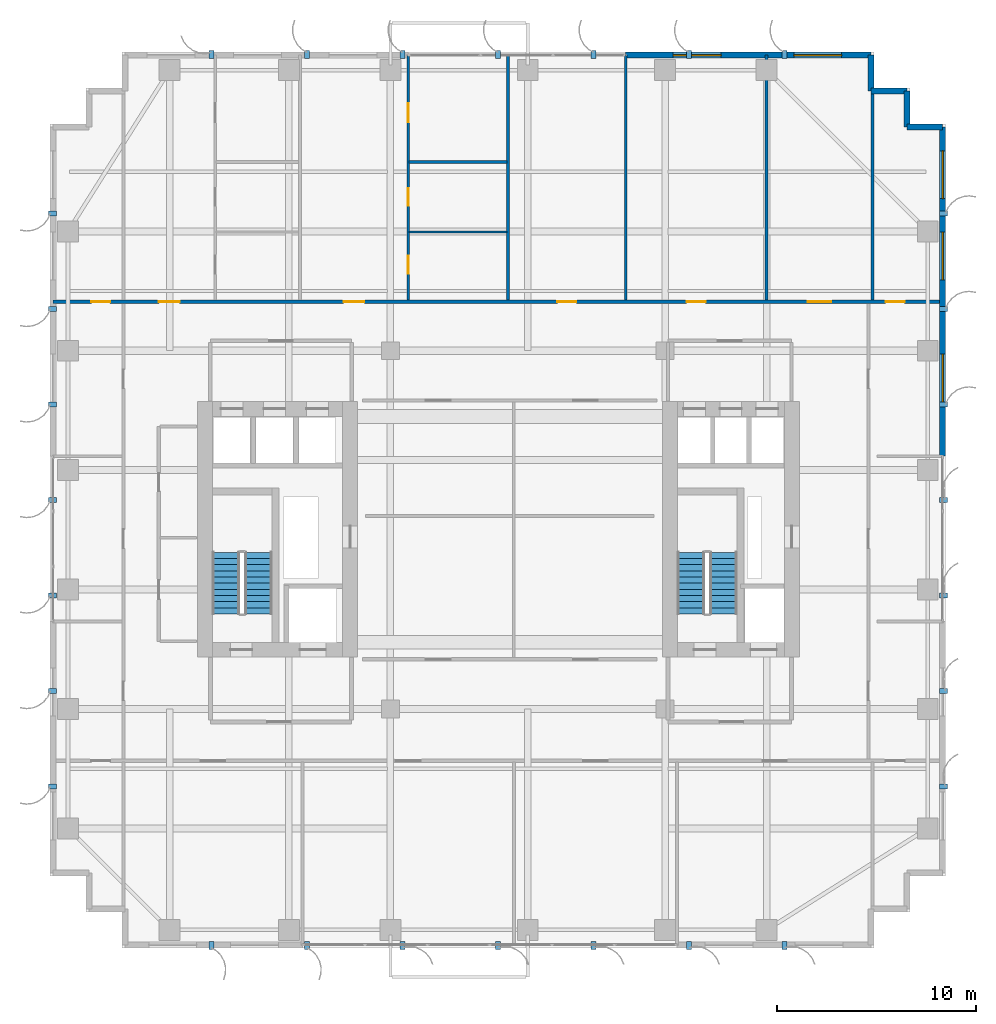
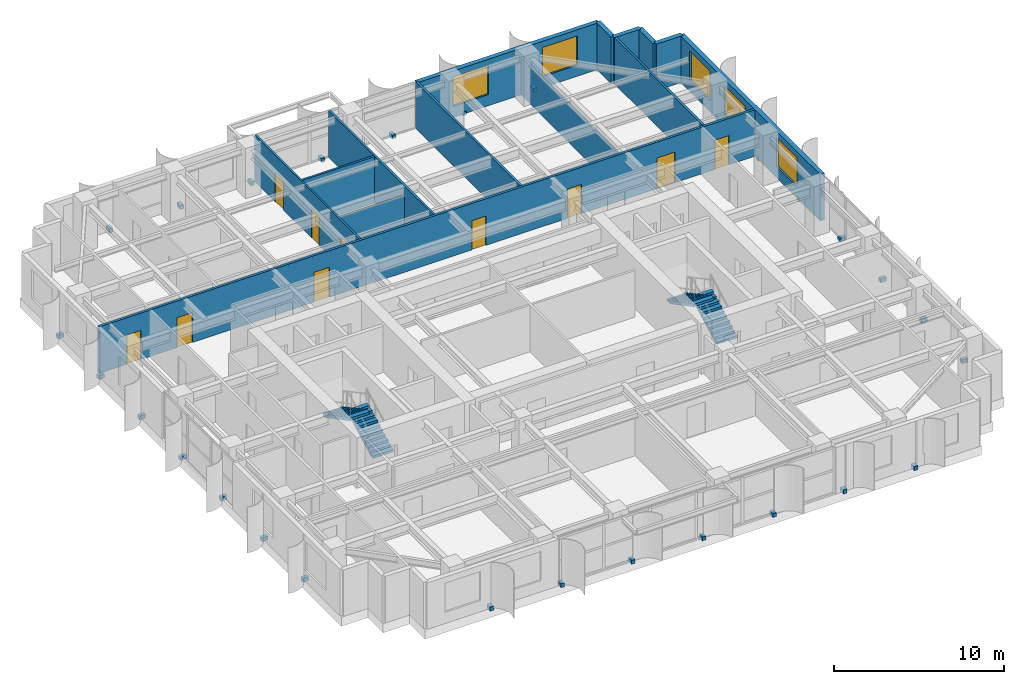
# One storey, part 20 of 23: 28 discrete accessories, 14 walls, 10 doors, 5 windows, 4 stair flights, 15 openings, 2 elements without a shape of their own.
"""IFC4 building model written with IfcOpenShell, lengths in metres."""

from ifc_helpers import new_model, si_unit, direction, frame, frame_2d, origin, origin_2d, place, context, subcontext, project, spatial, polyline, rectangle, outline, extrude, source, transform, mapped, material, layer, layer_set, type_object, element, fill, aggregate, save


model = new_model("IFC4")

# Units and contexts
model_context = context("Model", 3, precision=1e-05, world=origin(), true_north=direction((0.0, 1.0)))
body_context = subcontext(model_context, "Body", "Model", "MODEL_VIEW")
ifc_project = project(units=[si_unit("LENGTHUNIT", "METRE"), si_unit("AREAUNIT", "SQUARE_METRE"), si_unit("VOLUMEUNIT", "CUBIC_METRE"), si_unit("PLANEANGLEUNIT", "RADIAN"), si_unit("MASSUNIT", "GRAM", prefix="KILO")], contexts=[model_context])

# Site, building, storey
site_placement = place(None, origin())
site = spatial("IfcSite", under=ifc_project, at=site_placement, CompositionType="ELEMENT")
building_placement = place(site_placement, origin())
building = spatial("IfcBuilding", under=site, at=building_placement, Name="Khoralis Quay Care Tower", CompositionType="ELEMENT")
storey_placement = place(building_placement, frame((0.0, 0.0, 83.699951171875)))
storey = spatial("IfcBuildingStorey", under=building, at=storey_placement, Name="L21", CompositionType="ELEMENT", Elevation=83.699951171875)

# Wall, openings, doors
ifc_material_1 = material(Name="Gypsum plasterboard on acoustic metal stud")
ifc_layer_1 = layer(ifc_material_1, 0.1650390625)
ifc_layer_set_1 = layer_set([ifc_layer_1], Name="Gypsum plasterboard on acoustic metal stud")
wall_type_1 = type_object("IfcWallType", Name="WL-CORR-165", PredefinedType="PARTITIONING", material=ifc_layer_set_1)
wall_1_placement = place(storey_placement, frame((0.14501953125, 32.4599609375, 0.0), z_axis=(0.0, 0.0, 1.0), x_axis=(1.0, 0.0, 0.0)))
wall_1 = element("IfcWall", 1, at=wall_1_placement, inside=storey, type_object=wall_type_1, Name="L21 North Main Corridor Wall", PredefinedType="PARTITIONING", context=body_context, shape_type="SweptSolid", body=[
    extrude(rectangle(XDim=44.7099609375, YDim=0.1650390625, at=frame_2d((22.35498046875, 0.0))), origin(), (0.0, 0.0, 1.0), 3.340087890625),
])
opening_1_placement = place(wall_1_placement, frame((5.31591796875, 0.0, 0.0)))
opening_1 = element("IfcOpeningElement", 2, at=opening_1_placement, cuts=wall_1, Name="Opening UD1", PredefinedType="OPENING", context=body_context, shape_type="SweptSolid", body=[
    extrude(rectangle(XDim=1.050048828125, YDim=2.14990234375, at=frame_2d((0.52490234375, 1.074951171875))), frame((0.0, 0.092529296875, 0.0), z_axis=(0.0, -1.0, 0.0), x_axis=(1.0, 0.0, 0.0)), (0.0, 0.0, 1.0), 0.18505859375),
])
opening_2_placement = place(wall_1_placement, frame((14.599609375, 0.0, 0.0)))
opening_2 = element("IfcOpeningElement", 3, at=opening_2_placement, cuts=wall_1, Name="Opening UD1", PredefinedType="OPENING", context=body_context, shape_type="SweptSolid", body=[
    extrude(rectangle(XDim=1.050048828125, YDim=2.14990234375, at=frame_2d((0.52490234375, 1.074951171875))), frame((0.0, 0.092529296875, 0.0), z_axis=(0.0, -1.0, 0.0), x_axis=(1.0, 0.0, 0.0)), (0.0, 0.0, 1.0), 0.18505859375),
])
opening_3_placement = place(wall_1_placement, frame((25.344970703125, 0.0, 0.0)))
opening_3 = element("IfcOpeningElement", 4, at=opening_3_placement, cuts=wall_1, Name="Opening ID1", PredefinedType="OPENING", context=body_context, shape_type="SweptSolid", body=[
    extrude(rectangle(XDim=0.949951171875, YDim=2.10009765625, at=frame_2d((0.47509765625, 1.050048828125))), frame((0.0, 0.092529296875, 0.0), z_axis=(0.0, -1.0, 0.0), x_axis=(1.0, 0.0, 0.0)), (0.0, 0.0, 1.0), 0.18505859375),
])
opening_4_placement = place(wall_1_placement, frame((31.840087890625, 0.0, 0.0)))
opening_4 = element("IfcOpeningElement", 5, at=opening_4_placement, cuts=wall_1, Name="Opening ID1", PredefinedType="OPENING", context=body_context, shape_type="SweptSolid", body=[
    extrude(rectangle(XDim=0.949951171875, YDim=2.10009765625, at=frame_2d((0.47509765625, 1.050048828125))), frame((0.0, 0.092529296875, 0.0), z_axis=(0.0, -1.0, 0.0), x_axis=(1.0, 0.0, 0.0)), (0.0, 0.0, 1.0), 0.18505859375),
])
opening_5_placement = place(wall_1_placement, frame((37.9150390625, 0.0, 0.0)))
opening_5 = element("IfcOpeningElement", 6, at=opening_5_placement, cuts=wall_1, Name="Opening FD1", PredefinedType="OPENING", context=body_context, shape_type="SweptSolid", body=[
    extrude(rectangle(XDim=1.199951171875, YDim=2.199951171875, at=frame_2d((0.60009765625, 1.10009765625))), frame((0.0, 0.092529296875, 0.0), z_axis=(0.0, -1.0, 0.0), x_axis=(1.0, 0.0, 0.0)), (0.0, 0.0, 1.0), 0.18505859375),
])
opening_6_placement = place(wall_1_placement, frame((1.919921875, 0.0, 0.0)))
opening_6 = element("IfcOpeningElement", 7, at=opening_6_placement, cuts=wall_1, Name="Opening ID1", PredefinedType="OPENING", context=body_context, shape_type="SweptSolid", body=[
    extrude(rectangle(XDim=0.949951171875, YDim=2.10009765625, at=frame_2d((0.47509765625, 1.050048828125))), frame((0.0, 0.092529296875, 0.0), z_axis=(0.0, -1.0, 0.0), x_axis=(1.0, 0.0, 0.0)), (0.0, 0.0, 1.0), 0.18505859375),
])
opening_7_placement = place(wall_1_placement, frame((41.840087890625, 0.0, 0.0)))
opening_7 = element("IfcOpeningElement", 8, at=opening_7_placement, cuts=wall_1, Name="Opening ID1", PredefinedType="OPENING", context=body_context, shape_type="SweptSolid", body=[
    extrude(rectangle(XDim=0.949951171875, YDim=2.10009765625, at=frame_2d((0.47509765625, 1.050048828125))), frame((0.0, 0.092529296875, 0.0), z_axis=(0.0, -1.0, 0.0), x_axis=(1.0, 0.0, 0.0)), (0.0, 0.0, 1.0), 0.18505859375),
])
ifc_material_2 = material(Name="Fire-rated painted steel", Category="steel")
door_type_1 = type_object("IfcDoorType", Name="DR-FFL-1200X2200", OperationType="NOTDEFINED", PredefinedType="DOOR", material=ifc_material_2)
shared_shape_1 = source(origin(), body_context, "Body", "SweptSolid", [
    extrude(rectangle(XDim=1.199951171875, YDim=2.199951171875, at=frame_2d((0.60009765625, 1.10009765625))), frame((0.0, 0.02490234375, 0.0), z_axis=(0.0, -1.0, 0.0), x_axis=(1.0, 0.0, 0.0)), (0.0, 0.0, 1.0), 0.050048828125),
])
door_1_placement = place(opening_5_placement, origin())
door_1 = element("IfcDoor", 9, at=door_1_placement, inside=storey, type_object=door_type_1, Name="L21 Senior Wellness Pharmacy Shop Door", OperationType="DOUBLE_DOOR_SINGLE_SWING", OverallHeight=2.199951171875, OverallWidth=1.199951171875, PredefinedType="DOOR", context=body_context, shape_type="MappedRepresentation", body=[
    mapped(shared_shape_1, transform((0.0, 0.0, 0.0), scale=1.0)),
])
fill(opening_5, door_1)
ifc_material_3 = material(Name="Acoustic hardwood timber", Category="wood")
door_type_2 = type_object("IfcDoorType", Name="DR-ROOM-950X2100", OperationType="NOTDEFINED", PredefinedType="DOOR", material=ifc_material_3)
shared_shape_2 = source(origin(), body_context, "Body", "SweptSolid", [
    extrude(rectangle(XDim=0.949951171875, YDim=2.10009765625, at=frame_2d((0.47509765625, 1.050048828125))), frame((0.0, 0.02490234375, 0.0), z_axis=(0.0, -1.0, 0.0), x_axis=(1.0, 0.0, 0.0)), (0.0, 0.0, 1.0), 0.050048828125),
])
door_2_placement = place(opening_3_placement, origin())
door_2 = element("IfcDoor", 10, at=door_2_placement, inside=storey, type_object=door_type_2, Name="L21 Care Coordination Office Door", OperationType="SINGLE_SWING_RIGHT", OverallHeight=2.10009765625, OverallWidth=0.949951171875, PredefinedType="DOOR", context=body_context, shape_type="MappedRepresentation", body=[
    mapped(shared_shape_2, transform((0.0, 0.0, 0.0), scale=1.0)),
])
fill(opening_3, door_2)
door_3_placement = place(opening_4_placement, origin())
door_3 = element("IfcDoor", 11, at=door_3_placement, inside=storey, type_object=door_type_2, Name="L21 Family Case Conference Room Door", OperationType="SINGLE_SWING_LEFT", OverallHeight=2.10009765625, OverallWidth=0.949951171875, PredefinedType="DOOR", context=body_context, shape_type="MappedRepresentation", body=[
    mapped(shared_shape_2, transform((0.0, 0.0, 0.0), scale=1.0)),
])
fill(opening_4, door_3)
door_4_placement = place(opening_6_placement, origin())
door_4 = element("IfcDoor", 12, at=door_4_placement, inside=storey, type_object=door_type_2, Name="L21 NW Corner Door", OperationType="SINGLE_SWING_RIGHT", OverallHeight=2.10009765625, OverallWidth=0.949951171875, PredefinedType="DOOR", context=body_context, shape_type="MappedRepresentation", body=[
    mapped(shared_shape_2, transform((0.0, 0.0, 0.0), scale=1.0)),
])
fill(opening_6, door_4)
door_5_placement = place(opening_7_placement, origin())
door_5 = element("IfcDoor", 13, at=door_5_placement, inside=storey, type_object=door_type_2, Name="L21 NE Corner Door", OperationType="SINGLE_SWING_LEFT", OverallHeight=2.10009765625, OverallWidth=0.949951171875, PredefinedType="DOOR", context=body_context, shape_type="MappedRepresentation", body=[
    mapped(shared_shape_2, transform((0.0, 0.0, 0.0), scale=1.0)),
])
fill(opening_7, door_5)
door_type_3 = type_object("IfcDoorType", Name="DR-SUITE-1050X2150", OperationType="NOTDEFINED", PredefinedType="DOOR", material=ifc_material_3)
shared_shape_3 = source(origin(), body_context, "Body", "SweptSolid", [
    extrude(rectangle(XDim=1.050048828125, YDim=2.14990234375, at=frame_2d((0.52490234375, 1.074951171875))), frame((0.0, 0.02490234375, 0.0), z_axis=(0.0, -1.0, 0.0), x_axis=(1.0, 0.0, 0.0)), (0.0, 0.0, 1.0), 0.050048828125),
])
door_6_placement = place(opening_1_placement, origin())
door_6 = element("IfcDoor", 14, at=door_6_placement, inside=storey, type_object=door_type_3, Name="L21 Apartment NB0 Entrance Door", OperationType="SINGLE_SWING_LEFT", OverallHeight=2.14990234375, OverallWidth=1.050048828125, PredefinedType="DOOR", context=body_context, shape_type="MappedRepresentation", body=[
    mapped(shared_shape_3, transform((0.0, 0.0, 0.0), scale=1.0)),
])
fill(opening_1, door_6)
door_7_placement = place(opening_2_placement, origin())
door_7 = element("IfcDoor", 15, at=door_7_placement, inside=storey, type_object=door_type_3, Name="L21 Apartment NB1 Entrance Door", OperationType="SINGLE_SWING_RIGHT", OverallHeight=2.14990234375, OverallWidth=1.050048828125, PredefinedType="DOOR", context=body_context, shape_type="MappedRepresentation", body=[
    mapped(shared_shape_3, transform((0.0, 0.0, 0.0), scale=1.0)),
])
fill(opening_2, door_7)

# Wall, openings, windows
ifc_material_4 = material(Name="Precast concrete C45/55", Category="concrete")
ifc_layer_2 = layer(ifc_material_4, 0.300048828125)
ifc_layer_set_2 = layer_set([ifc_layer_2], Name="Precast concrete C45/55")
wall_type_2 = type_object("IfcWallType", Name="WL-EXT-REF-300", PredefinedType="SOLIDWALL", material=ifc_layer_set_2)
wall_2_placement = place(storey_placement, frame((44.85009765625, 24.699951171875, 0.0), z_axis=(0.0, 0.0, 1.0), x_axis=(0.0, 1.0, 0.0)))
wall_2 = element("IfcWall", 16, at=wall_2_placement, inside=storey, type_object=wall_type_2, Name="L21 External Facade Wall WL-EXT-L21-P1-E5B", PredefinedType="SOLIDWALL", context=body_context, shape_type="SweptSolid", body=[
    extrude(rectangle(XDim=16.550048828125, YDim=0.300048828125, at=frame_2d((8.27490234375, 0.0))), origin(), (0.0, 0.0, 1.0), 3.340087890625),
])
opening_8_placement = place(wall_2_placement, frame((2.72998046875, 0.0, 0.800048828125)))
opening_8 = element("IfcOpeningElement", 17, at=opening_8_placement, cuts=wall_2, Name="Opening W1", PredefinedType="OPENING", context=body_context, shape_type="SweptSolid", body=[
    extrude(rectangle(XDim=2.39990234375, YDim=2.10009765625, at=frame_2d((1.199951171875, 1.050048828125))), frame((0.0, 0.16015625, 0.0), z_axis=(0.0, -1.0, 0.0), x_axis=(1.0, 0.0, 0.0)), (0.0, 0.0, 1.0), 0.320068359375),
])
opening_9_placement = place(wall_2_placement, frame((8.862548828125, 0.0, 0.800048828125)))
opening_9 = element("IfcOpeningElement", 18, at=opening_9_placement, cuts=wall_2, Name="Opening W1", PredefinedType="OPENING", context=body_context, shape_type="SweptSolid", body=[
    extrude(rectangle(XDim=2.39990234375, YDim=2.10009765625, at=frame_2d((1.199951171875, 1.050048828125))), frame((0.0, 0.16015625, 0.0), z_axis=(0.0, -1.0, 0.0), x_axis=(1.0, 0.0, 0.0)), (0.0, 0.0, 1.0), 0.320068359375),
])
opening_10_placement = place(wall_2_placement, frame((12.947509765625, 0.0, 0.800048828125)))
opening_10 = element("IfcOpeningElement", 19, at=opening_10_placement, cuts=wall_2, Name="Opening W1", PredefinedType="OPENING", context=body_context, shape_type="SweptSolid", body=[
    extrude(rectangle(XDim=2.39990234375, YDim=2.10009765625, at=frame_2d((1.199951171875, 1.050048828125))), frame((0.0, 0.16015625, 0.0), z_axis=(0.0, -1.0, 0.0), x_axis=(1.0, 0.0, 0.0)), (0.0, 0.0, 1.0), 0.320068359375),
])
ifc_material_5 = material(Name="Low-E solar-control double glazing", Category="glass")
window_type = type_object("IfcWindowType", Name="WN-POD-2400X2100", PartitioningType="SINGLE_PANEL", PredefinedType="WINDOW", material=ifc_material_5)
shared_shape_4 = source(origin(), body_context, "Body", "SweptSolid", [
    extrude(rectangle(XDim=2.39990234375, YDim=2.10009765625, at=frame_2d((1.199951171875, 1.050048828125))), frame((0.0, 0.030029296875, 0.0), z_axis=(0.0, -1.0, 0.0), x_axis=(1.0, 0.0, 0.0)), (0.0, 0.0, 1.0), 0.06005859375),
])
window_1_placement = place(opening_8_placement, origin())
window_1 = element("IfcWindow", 20, at=window_1_placement, inside=storey, type_object=window_type, Name="WN-L21-P1-E5B Facade Window 01", OverallHeight=2.10009765625, OverallWidth=2.39990234375, PartitioningType="SINGLE_PANEL", PredefinedType="WINDOW", context=body_context, shape_type="MappedRepresentation", body=[
    mapped(shared_shape_4, transform((0.0, 0.0, 0.0), scale=1.0)),
])
fill(opening_8, window_1)
window_2_placement = place(opening_9_placement, origin())
window_2 = element("IfcWindow", 21, at=window_2_placement, inside=storey, type_object=window_type, Name="WN-L21-P1-E5B Facade Window 02", OverallHeight=2.10009765625, OverallWidth=2.39990234375, PartitioningType="SINGLE_PANEL", PredefinedType="WINDOW", context=body_context, shape_type="MappedRepresentation", body=[
    mapped(shared_shape_4, transform((0.0, 0.0, 0.0), scale=1.0)),
])
fill(opening_9, window_2)
window_3_placement = place(opening_10_placement, origin())
window_3 = element("IfcWindow", 22, at=window_3_placement, inside=storey, type_object=window_type, Name="WN-L21-P1-E5B Facade Window 03", OverallHeight=2.10009765625, OverallWidth=2.39990234375, PartitioningType="SINGLE_PANEL", PredefinedType="WINDOW", context=body_context, shape_type="MappedRepresentation", body=[
    mapped(shared_shape_4, transform((0.0, 0.0, 0.0), scale=1.0)),
])
fill(opening_10, window_3)

# Walls
for number, where, z_axis, x_axis, name in (
    (23, (44.85009765625, 41.25, 0.0), (0.0, 0.0, 1.0), (-1.0, 0.0, 0.0), "L21 External Facade Wall WL-EXT-L21-P1-C6"),
    (24, (43.050048828125, 41.25, 0.0), (0.0, 0.0, 1.0), (0.0, 1.0, 0.0), "L21 External Facade Wall WL-EXT-L21-P1-C7"),
    (25, (43.050048828125, 43.050048828125, 0.0), (0.0, 0.0, 1.0), (-1.0, 0.0, 0.0), "L21 External Facade Wall WL-EXT-L21-P1-C8"),
    (26, (41.25, 43.050048828125, 0.0), (0.0, 0.0, 1.0), (0.0, 1.0, 0.0), "L21 External Facade Wall WL-EXT-L21-P1-C9"),
):
    element("IfcWall", number, at=place(storey_placement, frame(where, z_axis=z_axis, x_axis=x_axis)), inside=storey, type_object=wall_type_2, Name=name, PredefinedType="SOLIDWALL", context=body_context, shape_type="SweptSolid", body=[
        extrude(rectangle(XDim=1.800048828125, YDim=0.300048828125, at=frame_2d((0.89990234375, 0.0))), origin(), (0.0, 0.0, 1.0), 3.340087890625),
    ])

# Wall, openings, windows
wall_3_placement = place(storey_placement, frame((41.25, 44.85009765625, 0.0), z_axis=(0.0, 0.0, 1.0), x_axis=(-1.0, 0.0, 0.0)))
wall_3 = element("IfcWall", 27, at=wall_3_placement, inside=storey, type_object=wall_type_2, Name="L21 External Facade Wall WL-EXT-L21-P1-E10A", PredefinedType="SOLIDWALL", context=body_context, shape_type="SweptSolid", body=[
    extrude(rectangle(XDim=12.330078125, YDim=0.300048828125, at=frame_2d((6.1650390625, 0.0))), origin(), (0.0, 0.0, 1.0), 3.340087890625),
])
opening_11_placement = place(wall_3_placement, frame((1.47509765625, 0.0, 0.800048828125)))
opening_11 = element("IfcOpeningElement", 28, at=opening_11_placement, cuts=wall_3, Name="Opening W1", PredefinedType="OPENING", context=body_context, shape_type="SweptSolid", body=[
    extrude(rectangle(XDim=2.39990234375, YDim=2.10009765625, at=frame_2d((1.199951171875, 1.050048828125))), frame((0.0, 0.16015625, 0.0), z_axis=(0.0, -1.0, 0.0), x_axis=(1.0, 0.0, 0.0)), (0.0, 0.0, 1.0), 0.320068359375),
])
opening_12_placement = place(wall_3_placement, frame((7.5400390625, 0.0, 0.800048828125)))
opening_12 = element("IfcOpeningElement", 29, at=opening_12_placement, cuts=wall_3, Name="Opening W1", PredefinedType="OPENING", context=body_context, shape_type="SweptSolid", body=[
    extrude(rectangle(XDim=2.39990234375, YDim=2.10009765625, at=frame_2d((1.199951171875, 1.050048828125))), frame((0.0, 0.16015625, 0.0), z_axis=(0.0, -1.0, 0.0), x_axis=(1.0, 0.0, 0.0)), (0.0, 0.0, 1.0), 0.320068359375),
])
window_4_placement = place(opening_11_placement, origin())
window_4 = element("IfcWindow", 30, at=window_4_placement, inside=storey, type_object=window_type, Name="WN-L21-P1-E10A Facade Window 01", OverallHeight=2.10009765625, OverallWidth=2.39990234375, PartitioningType="SINGLE_PANEL", PredefinedType="WINDOW", context=body_context, shape_type="MappedRepresentation", body=[
    mapped(shared_shape_4, transform((0.0, 0.0, 0.0), scale=1.0)),
])
fill(opening_11, window_4)
window_5_placement = place(opening_12_placement, origin())
window_5 = element("IfcWindow", 31, at=window_5_placement, inside=storey, type_object=window_type, Name="WN-L21-P1-E10A Facade Window 02", OverallHeight=2.10009765625, OverallWidth=2.39990234375, PartitioningType="SINGLE_PANEL", PredefinedType="WINDOW", context=body_context, shape_type="MappedRepresentation", body=[
    mapped(shared_shape_4, transform((0.0, 0.0, 0.0), scale=1.0)),
])
fill(opening_12, window_5)

# Wall, openings, doors
ifc_layer_3 = layer(ifc_material_1, 0.114990234375)
ifc_layer_set_3 = layer_set([ifc_layer_3], Name="Gypsum plasterboard on acoustic metal stud")
wall_type_3 = type_object("IfcWallType", Name="WL-PART-115", PredefinedType="PARTITIONING", material=ifc_layer_set_3)
wall_4_placement = place(storey_placement, frame((17.989013671875, 32.53759765625, 0.0), z_axis=(0.0, 0.0, 1.0), x_axis=(0.0, 1.0, 0.0)))
wall_4 = element("IfcWall", 32, at=wall_4_placement, inside=storey, type_object=wall_type_3, Name="L21 Unit 1 Internal Wall", PredefinedType="PARTITIONING", context=body_context, shape_type="SweptSolid", body=[
    extrude(rectangle(XDim=12.3173828125, YDim=0.114990234375, at=frame_2d((6.15869140625, 0.0))), origin(), (0.0, 0.0, 1.0), 3.340087890625),
])
opening_13_placement = place(wall_4_placement, frame((8.95361328125, 0.0, 0.0)))
opening_13 = element("IfcOpeningElement", 33, at=opening_13_placement, cuts=wall_4, Name="Opening ID1", PredefinedType="OPENING", context=body_context, shape_type="SweptSolid", body=[
    extrude(rectangle(XDim=0.949951171875, YDim=2.10009765625, at=frame_2d((0.47509765625, 1.050048828125))), frame((0.0, 0.0673828125, 0.0), z_axis=(0.0, -1.0, 0.0), x_axis=(1.0, 0.0, 0.0)), (0.0, 0.0, 1.0), 0.135009765625),
])
opening_14_placement = place(wall_4_placement, frame((4.739013671875, 0.0, 0.0)))
opening_14 = element("IfcOpeningElement", 34, at=opening_14_placement, cuts=wall_4, Name="Opening WD1", PredefinedType="OPENING", context=body_context, shape_type="SweptSolid", body=[
    extrude(rectangle(XDim=0.89990234375, YDim=2.10009765625, at=frame_2d((0.449951171875, 1.050048828125))), frame((0.0, 0.0673828125, 0.0), z_axis=(0.0, -1.0, 0.0), x_axis=(1.0, 0.0, 0.0)), (0.0, 0.0, 1.0), 0.135009765625),
])
opening_15_placement = place(wall_4_placement, frame((1.343017578125, 0.0, 0.0)))
opening_15 = element("IfcOpeningElement", 35, at=opening_15_placement, cuts=wall_4, Name="Opening WD1", PredefinedType="OPENING", context=body_context, shape_type="SweptSolid", body=[
    extrude(rectangle(XDim=0.89990234375, YDim=2.10009765625, at=frame_2d((0.449951171875, 1.050048828125))), frame((0.0, 0.0673828125, 0.0), z_axis=(0.0, -1.0, 0.0), x_axis=(1.0, 0.0, 0.0)), (0.0, 0.0, 1.0), 0.135009765625),
])
door_type_4 = type_object("IfcDoorType", Name="DR-BATH-900X2100", OperationType="NOTDEFINED", PredefinedType="DOOR", material=ifc_material_3)
shared_shape_5 = source(origin(), body_context, "Body", "SweptSolid", [
    extrude(rectangle(XDim=0.89990234375, YDim=2.10009765625, at=frame_2d((0.449951171875, 1.050048828125))), frame((0.0, 0.02490234375, 0.0), z_axis=(0.0, -1.0, 0.0), x_axis=(1.0, 0.0, 0.0)), (0.0, 0.0, 1.0), 0.050048828125),
])
door_8_placement = place(opening_14_placement, frame((0.89990234375, 0.0, 0.0), z_axis=(0.0, 0.0, 1.0), x_axis=(-1.0, 0.0, 0.0)))
door_8 = element("IfcDoor", 36, at=door_8_placement, inside=storey, type_object=door_type_4, Name="L21 Apartment NB1 KIT Door", OperationType="SINGLE_SWING_RIGHT", OverallHeight=2.10009765625, OverallWidth=0.89990234375, PredefinedType="DOOR", context=body_context, shape_type="MappedRepresentation", body=[
    mapped(shared_shape_5, transform((0.0, 0.0, 0.0), scale=1.0)),
])
fill(opening_14, door_8)
door_9_placement = place(opening_15_placement, frame((0.89990234375, 0.0, 0.0), z_axis=(0.0, 0.0, 1.0), x_axis=(-1.0, 0.0, 0.0)))
door_9 = element("IfcDoor", 37, at=door_9_placement, inside=storey, type_object=door_type_4, Name="L21 Apartment NB1 BTH Door", OperationType="SINGLE_SWING_LEFT", OverallHeight=2.10009765625, OverallWidth=0.89990234375, PredefinedType="DOOR", context=body_context, shape_type="MappedRepresentation", body=[
    mapped(shared_shape_5, transform((0.0, 0.0, 0.0), scale=1.0)),
])
fill(opening_15, door_9)
door_10_placement = place(opening_13_placement, frame((0.949951171875, 0.0, 0.0), z_axis=(0.0, 0.0, 1.0), x_axis=(-1.0, 0.0, 0.0)))
door_10 = element("IfcDoor", 38, at=door_10_placement, inside=storey, type_object=door_type_2, Name="L21 Apartment NB1 BED Door", OperationType="SINGLE_SWING_LEFT", OverallHeight=2.10009765625, OverallWidth=0.949951171875, PredefinedType="DOOR", context=body_context, shape_type="MappedRepresentation", body=[
    mapped(shared_shape_2, transform((0.0, 0.0, 0.0), scale=1.0)),
])
fill(opening_13, door_10)

# Walls
wall_5_placement = place(storey_placement, frame((18.04150390625, 35.970947265625, 0.0), z_axis=(0.0, 0.0, 1.0), x_axis=(1.0, 0.0, 0.0)))
element("IfcWall", 39, at=wall_5_placement, inside=storey, type_object=wall_type_3, Name="L21 Unit 1 Kitchen Wall", PredefinedType="PARTITIONING", context=body_context, shape_type="SweptSolid", body=[
    extrude(rectangle(XDim=4.903564453125, YDim=0.114990234375, at=frame_2d((2.45166015625, 0.0))), origin(), (0.0, 0.0, 1.0), 2.64501953125),
])
ifc_material_6 = material(Name="Moisture-resistant gypsum and ceramic tile")
ifc_layer_4 = layer(ifc_material_6, 0.280029296875)
ifc_layer_set_4 = layer_set([ifc_layer_4], Name="Moisture-resistant gypsum and ceramic tile")
wall_type_4 = type_object("IfcWallType", Name="WL-PLUMB-280", PredefinedType="PLUMBINGWALL", material=ifc_layer_set_4)
wall_6_placement = place(storey_placement, frame((18.04150390625, 39.48193359375, 0.0), z_axis=(0.0, 0.0, 1.0), x_axis=(1.0, 0.0, 0.0)))
element("IfcWall", 40, at=wall_6_placement, inside=storey, type_object=wall_type_4, Name="L21 Unit 1 Wet Wall", PredefinedType="PLUMBINGWALL", context=body_context, shape_type="SweptSolid", body=[
    extrude(rectangle(XDim=4.903564453125, YDim=0.139892578125, at=frame_2d((2.45166015625, 0.0))), origin(), (0.0, 0.0, 1.0), 3.340087890625),
])
ifc_layer_5 = layer(ifc_material_1, 0.139892578125)
ifc_layer_set_5 = layer_set([ifc_layer_5], Name="Gypsum plasterboard on acoustic metal stud")
wall_type_5 = type_object("IfcWallType", Name="WL-UNIT-140", PredefinedType="PARTITIONING", material=ifc_layer_set_5)
for number, where, z_axis, x_axis, name in (
    (41, (23.010009765625, 32.53759765625, 0.0), (0.0, 0.0, 1.0), (0.0, 1.0, 0.0), "L21 NB Demising Wall 2"),
    (42, (28.919921875, 32.53759765625, 0.0), (0.0, 0.0, 1.0), (0.0, 1.0, 0.0), "L21 NB Demising Wall 3"),
):
    element("IfcWall", number, at=place(storey_placement, frame(where, z_axis=z_axis, x_axis=x_axis)), inside=storey, type_object=wall_type_5, Name=name, PredefinedType="PARTITIONING", context=body_context, shape_type="SweptSolid", body=[
        extrude(rectangle(XDim=12.3173828125, YDim=0.139892578125, at=frame_2d((6.15869140625, 0.0))), origin(), (0.0, 0.0, 1.0), 3.340087890625),
    ])
wall_7_placement = place(storey_placement, frame((36.0, 32.53759765625, 0.0), z_axis=(0.0, 0.0, 1.0), x_axis=(0.0, 1.0, 0.0)))
element("IfcWall", 43, at=wall_7_placement, inside=storey, type_object=wall_type_5, Name="L21 NB Demising Wall 4", PredefinedType="PARTITIONING", context=body_context, shape_type="SweptSolid", body=[
    extrude(rectangle(XDim=12.3173828125, YDim=0.139892578125, at=frame_2d((6.15869140625, 0.0))), origin(), (0.0, 0.0, 1.0), 2.72412109375),
])
wall_8_placement = place(storey_placement, frame((41.320068359375, 32.53759765625, 0.0), z_axis=(0.0, 0.0, 1.0), x_axis=(0.0, 1.0, 0.0)))
element("IfcWall", 44, at=wall_8_placement, inside=storey, type_object=wall_type_5, Name="L21 NB Demising Wall 5", PredefinedType="PARTITIONING", context=body_context, shape_type="SweptSolid", body=[
    extrude(rectangle(XDim=10.517333984375, YDim=0.139892578125, at=frame_2d((5.2587890625, 0.0))), origin(), (0.0, 0.0, 1.0), 3.340087890625),
])

# Stair, stair flights
stair_type = type_object("IfcStairType", Name="ST-TWR-DOGLEG-1400", PredefinedType="HALF_TURN_STAIR", material=ifc_material_4)
stair_1_placement = place(storey_placement, origin())
stair_1 = element("IfcStair", 45, at=stair_1_placement, inside=storey, type_object=stair_type, Name="L21 West Core Exit Stair ST-T1", PredefinedType="HALF_TURN_STAIR")
stair_flight_type = type_object("IfcStairFlightType", Name="SF-TWR-1400", PredefinedType="STRAIGHT", material=ifc_material_4)
shared_shape_6 = source(origin(), body_context, "Body", "SweptSolid", [
    extrude(outline(polyline([(0.0, 0.0), (0.0, 0.16357421875), (0.31005859375, 0.16357421875), (0.31005859375, 0.327392578125), (0.6201171875, 0.327392578125), (0.6201171875, 0.490966796875), (0.929931640625, 0.490966796875), (0.929931640625, 0.654541015625), (1.239990234375, 0.654541015625), (1.239990234375, 0.818115234375), (1.550048828125, 0.818115234375), (1.550048828125, 0.98193359375), (1.860107421875, 0.98193359375), (1.860107421875, 1.1455078125), (2.169921875, 1.1455078125), (2.169921875, 1.30908203125), (2.47998046875, 1.30908203125), (2.47998046875, 1.47265625), (2.7900390625, 1.47265625), (2.7900390625, 1.636474609375), (3.10009765625, 1.636474609375), (3.10009765625, 1.800048828125), (3.10009765625, 1.466796875), (0.321044921875, 0.0), (0.0, 0.0)])), frame((0.0, 0.68994140625, 0.0), z_axis=(0.0, -1.0, 0.0), x_axis=(1.0, 0.0, 0.0)), (0.0, 0.0, 1.0), 1.3798828125),
])
stair_flight_1_placement = place(storey_placement, frame((10.4599609375, 16.77001953125, 0.0), z_axis=(0.0, 0.0, 1.0), x_axis=(0.0, 1.0, 0.0)))
stair_flight_1 = element("IfcStairFlight", 46, at=stair_flight_1_placement, type_object=stair_flight_type, Name="ST-T1 flight 1", NumberOfRisers=11, NumberOfTreads=10, PredefinedType="STRAIGHT", RiserHeight=0.163636364, TreadLength=0.31, context=body_context, shape_type="MappedRepresentation", body=[
    mapped(shared_shape_6, transform((0.0, 0.0, 0.0), scale=1.0)),
])
stair_flight_2_placement = place(storey_placement, frame((8.840087890625, 19.8701171875, 1.800048828125), z_axis=(0.0, 0.0, 1.0), x_axis=(0.0, -1.0, 0.0)))
stair_flight_2 = element("IfcStairFlight", 47, at=stair_flight_2_placement, type_object=stair_flight_type, Name="ST-T1 flight 2", NumberOfRisers=11, NumberOfTreads=10, PredefinedType="STRAIGHT", RiserHeight=0.163636364, TreadLength=0.31, context=body_context, shape_type="MappedRepresentation", body=[
    mapped(shared_shape_6, transform((0.0, 0.0, 0.0), scale=1.0)),
])
aggregate(stair_1, [stair_flight_1, stair_flight_2])

stair_2_placement = place(storey_placement, origin())
stair_2 = element("IfcStair", 48, at=stair_2_placement, inside=storey, type_object=stair_type, Name="L21 East Core Exit Stair ST-T2", PredefinedType="HALF_TURN_STAIR")
stair_flight_3_placement = place(storey_placement, frame((33.830078125, 16.77001953125, 0.0), z_axis=(0.0, 0.0, 1.0), x_axis=(0.0, 1.0, 0.0)))
stair_flight_3 = element("IfcStairFlight", 49, at=stair_flight_3_placement, type_object=stair_flight_type, Name="ST-T2 flight 1", NumberOfRisers=11, NumberOfTreads=10, PredefinedType="STRAIGHT", RiserHeight=0.163636364, TreadLength=0.31, context=body_context, shape_type="MappedRepresentation", body=[
    mapped(shared_shape_6, transform((0.0, 0.0, 0.0), scale=1.0)),
])
stair_flight_4_placement = place(storey_placement, frame((32.2099609375, 19.8701171875, 1.800048828125), z_axis=(0.0, 0.0, 1.0), x_axis=(0.0, -1.0, 0.0)))
stair_flight_4 = element("IfcStairFlight", 50, at=stair_flight_4_placement, type_object=stair_flight_type, Name="ST-T2 flight 2", NumberOfRisers=11, NumberOfTreads=10, PredefinedType="STRAIGHT", RiserHeight=0.163636364, TreadLength=0.31, context=body_context, shape_type="MappedRepresentation", body=[
    mapped(shared_shape_6, transform((0.0, 0.0, 0.0), scale=1.0)),
])
aggregate(stair_2, [stair_flight_3, stair_flight_4])

# Discrete accessories
ifc_material_7 = material(Name="Brushed stainless steel", Category="steel")
discrete_accessory_type = type_object("IfcDiscreteAccessoryType", Name="ACC-FIN-BRACKET", PredefinedType="BRACKET", material=ifc_material_7)
shared_shape_7 = source(origin(), body_context, "Body", "SweptSolid", [
    extrude(rectangle(XDim=0.39990234375, YDim=0.239990234375, at=origin_2d()), origin(), (0.0, 0.0, 1.0), 0.280029296875),
])
for number, where, z_axis, x_axis, name in (
    (51, (8.10009765625, 0.110107421875, -0.1201171875), (0.0, 0.0, 1.0), (0.0, -1.0, 0.0), "L21 Solar Fin Bracket P1E0-01"),
    (52, (12.89990234375, 0.110107421875, -0.1201171875), (0.0, 0.0, 1.0), (0.0, -1.0, 0.0), "L21 Solar Fin Bracket P1E0-02"),
    (53, (17.699951171875, 0.110107421875, -0.1201171875), (0.0, 0.0, 1.0), (0.0, -1.0, 0.0), "L21 Solar Fin Bracket P1E0-03"),
    (54, (22.5, 0.110107421875, -0.1201171875), (0.0, 0.0, 1.0), (0.0, -1.0, 0.0), "L21 Solar Fin Bracket P1E0-04"),
    (55, (27.300048828125, 0.110107421875, -0.1201171875), (0.0, 0.0, 1.0), (0.0, -1.0, 0.0), "L21 Solar Fin Bracket P1E0-05"),
    (56, (32.10009765625, 0.110107421875, -0.1201171875), (0.0, 0.0, 1.0), (0.0, -1.0, 0.0), "L21 Solar Fin Bracket P1E0-06"),
    (57, (36.89990234375, 0.110107421875, -0.1201171875), (0.0, 0.0, 1.0), (0.0, -1.0, 0.0), "L21 Solar Fin Bracket P1E0-07"),
    (58, (44.889892578125, 8.10009765625, -0.1201171875), (0.0, 0.0, 1.0), (1.0, 0.0, 0.0), "L21 Solar Fin Bracket P1E5-01"),
    (59, (44.889892578125, 12.89990234375, -0.1201171875), (0.0, 0.0, 1.0), (1.0, 0.0, 0.0), "L21 Solar Fin Bracket P1E5-02"),
    (60, (44.889892578125, 17.699951171875, -0.1201171875), (0.0, 0.0, 1.0), (1.0, 0.0, 0.0), "L21 Solar Fin Bracket P1E5-03"),
    (61, (44.889892578125, 22.5, -0.1201171875), (0.0, 0.0, 1.0), (1.0, 0.0, 0.0), "L21 Solar Fin Bracket P1E5-04"),
    (62, (44.889892578125, 27.300048828125, -0.1201171875), (0.0, 0.0, 1.0), (1.0, 0.0, 0.0), "L21 Solar Fin Bracket P1E5-05"),
    (63, (44.889892578125, 32.10009765625, -0.1201171875), (0.0, 0.0, 1.0), (1.0, 0.0, 0.0), "L21 Solar Fin Bracket P1E5-06"),
    (64, (44.889892578125, 36.89990234375, -0.1201171875), (0.0, 0.0, 1.0), (1.0, 0.0, 0.0), "L21 Solar Fin Bracket P1E5-07"),
    (65, (36.89990234375, 44.889892578125, -0.1201171875), (0.0, 0.0, 1.0), (0.0, 1.0, 0.0), "L21 Solar Fin Bracket P1E10-01"),
    (66, (32.10009765625, 44.889892578125, -0.1201171875), (0.0, 0.0, 1.0), (0.0, 1.0, 0.0), "L21 Solar Fin Bracket P1E10-02"),
    (67, (27.300048828125, 44.889892578125, -0.1201171875), (0.0, 0.0, 1.0), (0.0, 1.0, 0.0), "L21 Solar Fin Bracket P1E10-03"),
    (68, (22.5, 44.889892578125, -0.1201171875), (0.0, 0.0, 1.0), (0.0, 1.0, 0.0), "L21 Solar Fin Bracket P1E10-04"),
    (69, (17.699951171875, 44.889892578125, -0.1201171875), (0.0, 0.0, 1.0), (0.0, 1.0, 0.0), "L21 Solar Fin Bracket P1E10-05"),
    (70, (12.89990234375, 44.889892578125, -0.1201171875), (0.0, 0.0, 1.0), (0.0, 1.0, 0.0), "L21 Solar Fin Bracket P1E10-06"),
    (71, (8.10009765625, 44.889892578125, -0.1201171875), (0.0, 0.0, 1.0), (0.0, 1.0, 0.0), "L21 Solar Fin Bracket P1E10-07"),
    (72, (0.110107421875, 36.89990234375, -0.1201171875), (0.0, 0.0, 1.0), (-1.0, 0.0, 0.0), "L21 Solar Fin Bracket P1E15-01"),
    (73, (0.110107421875, 32.10009765625, -0.1201171875), (0.0, 0.0, 1.0), (-1.0, 0.0, 0.0), "L21 Solar Fin Bracket P1E15-02"),
    (74, (0.110107421875, 27.300048828125, -0.1201171875), (0.0, 0.0, 1.0), (-1.0, 0.0, 0.0), "L21 Solar Fin Bracket P1E15-03"),
    (75, (0.110107421875, 22.5, -0.1201171875), (0.0, 0.0, 1.0), (-1.0, 0.0, 0.0), "L21 Solar Fin Bracket P1E15-04"),
    (76, (0.110107421875, 17.699951171875, -0.1201171875), (0.0, 0.0, 1.0), (-1.0, 0.0, 0.0), "L21 Solar Fin Bracket P1E15-05"),
    (77, (0.110107421875, 12.89990234375, -0.1201171875), (0.0, 0.0, 1.0), (-1.0, 0.0, 0.0), "L21 Solar Fin Bracket P1E15-06"),
    (78, (0.110107421875, 8.10009765625, -0.1201171875), (0.0, 0.0, 1.0), (-1.0, 0.0, 0.0), "L21 Solar Fin Bracket P1E15-07"),
):
    element("IfcDiscreteAccessory", number, at=place(storey_placement, frame(where, z_axis=z_axis, x_axis=x_axis)), inside=storey, type_object=discrete_accessory_type, Name=name, PredefinedType="BRACKET", context=body_context, shape_type="MappedRepresentation", body=[
        mapped(shared_shape_7, transform((0.0, 0.0, 0.0), scale=1.0)),
    ])

save(model, "model.ifc")
